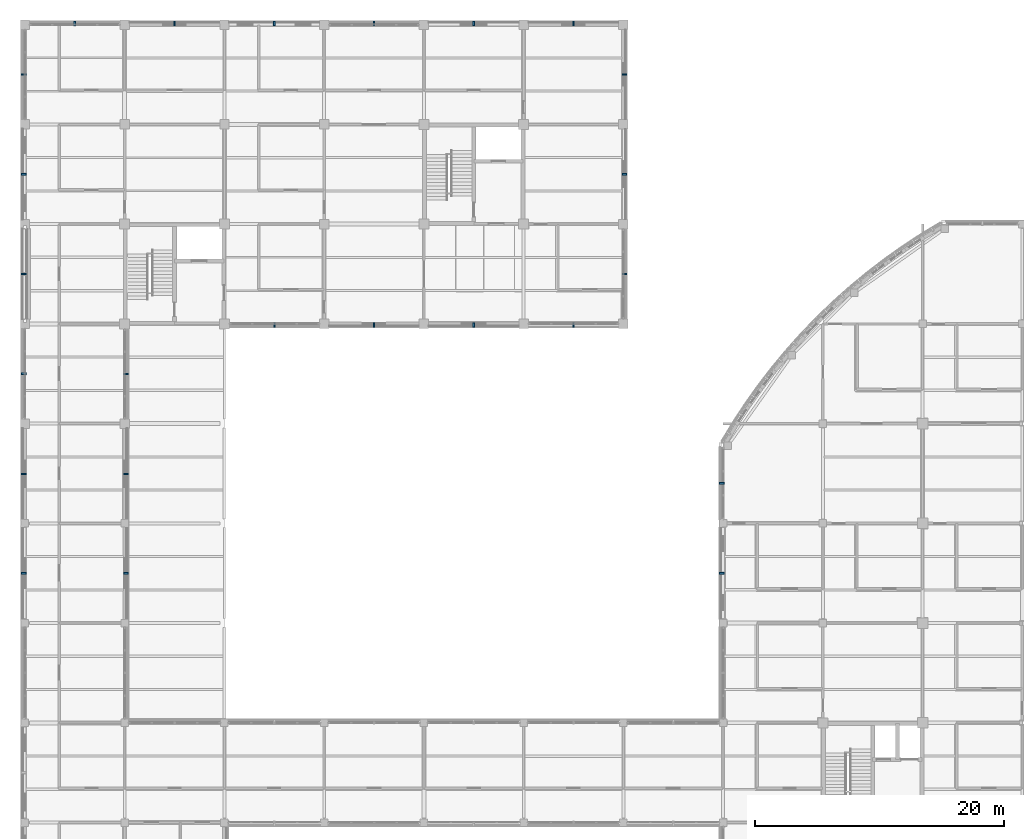
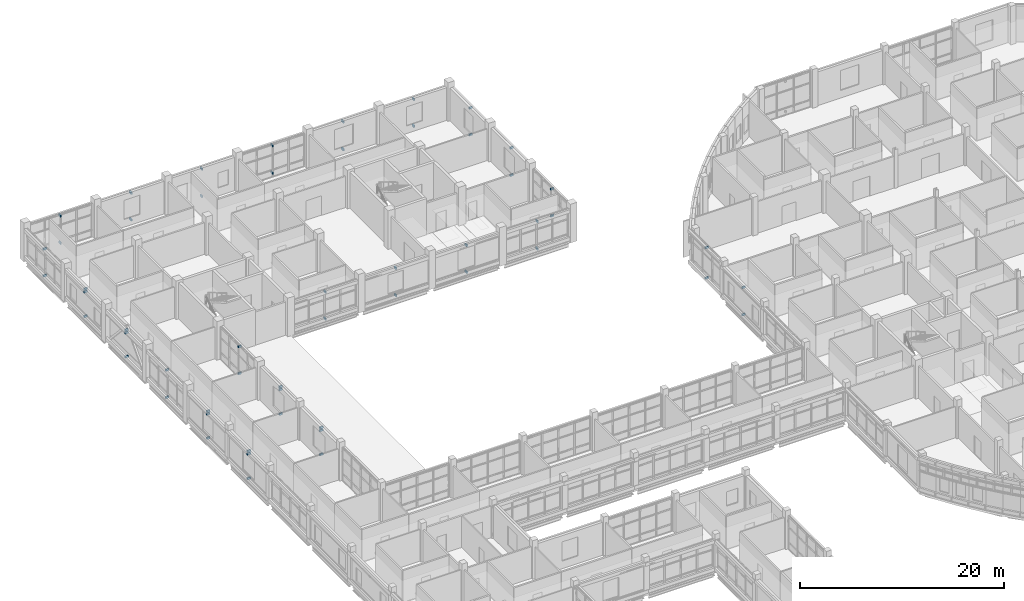
# One storey, part 103 of 121: 54 discrete accessories.
"""IFC4 building model written with IfcOpenShell, lengths in metres."""

from ifc_helpers import new_model, si_unit, derived_unit, direction, frame, origin, origin_2d, place, context, subcontext, project, spatial, rectangle, extrude, material, type_object, element, save


model = new_model("IFC4")

# Units and contexts
model_context = context("Model", 3, precision=1e-05, world=origin(), true_north=direction((0.0, 1.0)))
body_context = subcontext(model_context, "Body", "Model", "MODEL_VIEW")
ifc_project = project(units=[si_unit("LENGTHUNIT", "METRE"), si_unit("AREAUNIT", "SQUARE_METRE"), si_unit("VOLUMEUNIT", "CUBIC_METRE"), si_unit("PLANEANGLEUNIT", "RADIAN"), si_unit("MASSUNIT", "GRAM", prefix="KILO"), derived_unit("THERMALTRANSMITTANCEUNIT", [(si_unit("MASSUNIT", "GRAM", prefix="KILO"), 1), (si_unit("TIMEUNIT", "SECOND"), -3), (si_unit("THERMODYNAMICTEMPERATUREUNIT", "KELVIN"), -1)])], contexts=[model_context])

# Site, building, storey
site_placement = place(None, origin())
site = spatial("IfcSite", under=ifc_project, at=site_placement, CompositionType="ELEMENT")
building_placement = place(site_placement, origin())
building = spatial("IfcBuilding", under=site, at=building_placement, Name="Veyamyaing Civic Hall", CompositionType="ELEMENT")
storey_placement = place(building_placement, frame((0.0, 0.0, 5.280029296875)))
storey = spatial("IfcBuildingStorey", under=building, at=storey_placement, Name="L01", CompositionType="ELEMENT", Elevation=5.280029296875)

# Discrete accessories
ifc_material = material(Name="Steel S355J2", Category="steel")
discrete_accessory_type = type_object("IfcDiscreteAccessoryType", Name="BK-01", PredefinedType="BRACKET", material=ifc_material)
for number, where, z_axis, x_axis, name in (
    (1, (-0.10009765625, 68.0, 3.6337890625), (0.0, 0.0, 1.0), (-1.0, 0.0, 0.0), "Sunshade anchor bracket BK-01 L01 W 1.9"),
    (2, (-0.10009765625, 68.0, 0.35986328125), (0.0, 0.0, 1.0), (-1.0, 0.0, 0.0), "Lower ribbon anchor bracket BK-01 L01 W 1.9"),
    (3, (-0.10009765625, 68.0, 3.30419921875), (0.0, 0.0, 1.0), (-1.0, 0.0, 0.0), "Louvre anchor bracket BK-01 L01 W 1.9"),
    (4, (8.10009765625, 68.0, 3.57421875), (0.0, 0.0, 1.0), (1.0, 0.0, 0.0), "Sunshade anchor bracket BK-01 L01 E 1.9"),
    (5, (8.10009765625, 68.0, 0.35986328125), (0.0, 0.0, 1.0), (1.0, 0.0, 0.0), "Lower ribbon anchor bracket BK-01 L01 E 1.9"),
    (6, (8.10009765625, 68.0, 3.244140625), (0.0, 0.0, 1.0), (1.0, 0.0, 0.0), "Louvre anchor bracket BK-01 L01 E 1.9"),
    (7, (-0.10009765625, 75.96240234375, 3.57421875), (0.0, 0.0, 1.0), (-1.0, 0.0, 0.0), "Sunshade anchor bracket BK-01 L01 W 1.10"),
    (8, (-0.10009765625, 75.96240234375, 0.35986328125), (0.0, 0.0, 1.0), (-1.0, 0.0, 0.0), "Lower ribbon anchor bracket BK-01 L01 W 1.10"),
    (9, (-0.10009765625, 75.96240234375, 3.244140625), (0.0, 0.0, 1.0), (-1.0, 0.0, 0.0), "Louvre anchor bracket BK-01 L01 W 1.10"),
    (10, (8.10009765625, 75.96240234375, 3.63720703125), (0.0, 0.0, 1.0), (1.0, 0.0, 0.0), "Sunshade anchor bracket BK-01 L01 E 1.10"),
    (11, (8.10009765625, 75.96240234375, 0.35986328125), (0.0, 0.0, 1.0), (1.0, 0.0, 0.0), "Lower ribbon anchor bracket BK-01 L01 E 1.10"),
    (12, (8.10009765625, 75.96240234375, 3.30712890625), (0.0, 0.0, 1.0), (1.0, 0.0, 0.0), "Louvre anchor bracket BK-01 L01 E 1.10"),
    (13, (-0.10009765625, 84.0, 3.63720703125), (0.0, 0.0, 1.0), (-1.0, 0.0, 0.0), "Sunshade anchor bracket BK-01 L01 W 1.11"),
    (14, (-0.10009765625, 84.0, 0.35986328125), (0.0, 0.0, 1.0), (-1.0, 0.0, 0.0), "Lower ribbon anchor bracket BK-01 L01 W 1.11"),
    (15, (8.10009765625, 83.987548828125, 3.56982421875), (0.0, 0.0, 1.0), (1.0, 0.0, 0.0), "Sunshade anchor bracket BK-01 L01 E 1.11"),
    (16, (8.10009765625, 83.987548828125, 0.35986328125), (0.0, 0.0, 1.0), (1.0, 0.0, 0.0), "Lower ribbon anchor bracket BK-01 L01 E 1.11"),
    (17, (-0.10009765625, 92.0, 3.56982421875), (0.0, 0.0, 1.0), (-1.0, 0.0, 0.0), "Sunshade anchor bracket BK-01 L01 W 1.12"),
    (18, (-0.10009765625, 92.0, 0.35986328125), (0.0, 0.0, 1.0), (-1.0, 0.0, 0.0), "Lower ribbon anchor bracket BK-01 L01 W 1.12"),
    (19, (-0.10009765625, 92.0, 3.23974609375), (0.0, 0.0, 1.0), (-1.0, 0.0, 0.0), "Louvre anchor bracket BK-01 L01 W 1.12"),
    (20, (-0.10009765625, 100.0, 3.6337890625), (0.0, 0.0, 1.0), (-1.0, 0.0, 0.0), "Sunshade anchor bracket BK-01 L01 W 1.13"),
    (21, (-0.10009765625, 100.0, 0.35986328125), (0.0, 0.0, 1.0), (-1.0, 0.0, 0.0), "Lower ribbon anchor bracket BK-01 L01 W 1.13"),
    (22, (-0.10009765625, 100.0, 3.30419921875), (0.0, 0.0, 1.0), (-1.0, 0.0, 0.0), "Louvre anchor bracket BK-01 L01 W 1.13"),
    (23, (4.0, 112.10009765625, 3.63720703125), (0.0, 0.0, 1.0), (0.0, 1.0, 0.0), "Sunshade anchor bracket BK-01 L01 N 1.14"),
    (24, (4.0, 112.10009765625, 0.35986328125), (0.0, 0.0, 1.0), (0.0, 1.0, 0.0), "Lower ribbon anchor bracket BK-01 L01 N 1.14"),
    (25, (-0.10009765625, 108.0, 3.57421875), (0.0, 0.0, 1.0), (-1.0, 0.0, 0.0), "Sunshade anchor bracket BK-01 L01 W 1.14"),
    (26, (-0.10009765625, 108.0, 0.35986328125), (0.0, 0.0, 1.0), (-1.0, 0.0, 0.0), "Lower ribbon anchor bracket BK-01 L01 W 1.14"),
    (27, (12.0, 112.10009765625, 3.56982421875), (0.0, 0.0, 1.0), (0.0, 1.0, 0.0), "Sunshade anchor bracket BK-01 L01 N 2.14"),
    (28, (12.0, 112.10009765625, 0.35986328125), (0.0, 0.0, 1.0), (0.0, 1.0, 0.0), "Lower ribbon anchor bracket BK-01 L01 N 2.14"),
    (29, (20.012451171875, 87.89990234375, 3.57421875), (0.0, 0.0, 1.0), (0.0, -1.0, 0.0), "Sunshade anchor bracket BK-01 L01 S 3.12"),
    (30, (20.012451171875, 87.89990234375, 0.35986328125), (0.0, 0.0, 1.0), (0.0, -1.0, 0.0), "Lower ribbon anchor bracket BK-01 L01 S 3.12"),
    (31, (20.0, 112.10009765625, 3.6337890625), (0.0, 0.0, 1.0), (0.0, 1.0, 0.0), "Sunshade anchor bracket BK-01 L01 N 3.14"),
    (32, (20.0, 112.10009765625, 0.35986328125), (0.0, 0.0, 1.0), (0.0, 1.0, 0.0), "Lower ribbon anchor bracket BK-01 L01 N 3.14"),
    (33, (28.0, 87.89990234375, 3.63720703125), (0.0, 0.0, 1.0), (0.0, -1.0, 0.0), "Sunshade anchor bracket BK-01 L01 S 4.12"),
    (34, (28.0, 87.89990234375, 0.35986328125), (0.0, 0.0, 1.0), (0.0, -1.0, 0.0), "Lower ribbon anchor bracket BK-01 L01 S 4.12"),
    (35, (28.0, 112.10009765625, 3.619140625), (0.0, 0.0, 1.0), (0.0, 1.0, 0.0), "Sunshade anchor bracket BK-01 L01 N 4.14"),
    (36, (28.0, 112.10009765625, 0.35986328125), (0.0, 0.0, 1.0), (0.0, 1.0, 0.0), "Lower ribbon anchor bracket BK-01 L01 N 4.14"),
    (37, (36.0, 87.89990234375, 3.56982421875), (0.0, 0.0, 1.0), (0.0, -1.0, 0.0), "Sunshade anchor bracket BK-01 L01 S 5.12"),
    (38, (36.0, 87.89990234375, 0.35986328125), (0.0, 0.0, 1.0), (0.0, -1.0, 0.0), "Lower ribbon anchor bracket BK-01 L01 S 5.12"),
    (39, (36.0, 112.10009765625, 3.68212890625), (0.0, 0.0, 1.0), (0.0, 1.0, 0.0), "Sunshade anchor bracket BK-01 L01 N 5.14"),
    (40, (36.0, 112.10009765625, 0.35986328125), (0.0, 0.0, 1.0), (0.0, 1.0, 0.0), "Lower ribbon anchor bracket BK-01 L01 N 5.14"),
    (41, (44.0, 87.89990234375, 3.6337890625), (0.0, 0.0, 1.0), (0.0, -1.0, 0.0), "Sunshade anchor bracket BK-01 L01 S 6.12"),
    (42, (44.0, 87.89990234375, 0.35986328125), (0.0, 0.0, 1.0), (0.0, -1.0, 0.0), "Lower ribbon anchor bracket BK-01 L01 S 6.12"),
    (43, (48.10009765625, 92.0, 3.57421875), (0.0, 0.0, 1.0), (1.0, 0.0, 0.0), "Sunshade anchor bracket BK-01 L01 E 6.12"),
    (44, (48.10009765625, 92.0, 0.35986328125), (0.0, 0.0, 1.0), (1.0, 0.0, 0.0), "Lower ribbon anchor bracket BK-01 L01 E 6.12"),
    (45, (48.10009765625, 100.0, 3.63720703125), (0.0, 0.0, 1.0), (1.0, 0.0, 0.0), "Sunshade anchor bracket BK-01 L01 E 6.13"),
    (46, (48.10009765625, 100.0, 0.35986328125), (0.0, 0.0, 1.0), (1.0, 0.0, 0.0), "Lower ribbon anchor bracket BK-01 L01 E 6.13"),
    (47, (44.0, 112.10009765625, 3.56982421875), (0.0, 0.0, 1.0), (0.0, 1.0, 0.0), "Sunshade anchor bracket BK-01 L01 N 6.14"),
    (48, (44.0, 112.10009765625, 0.35986328125), (0.0, 0.0, 1.0), (0.0, 1.0, 0.0), "Lower ribbon anchor bracket BK-01 L01 N 6.14"),
    (49, (48.10009765625, 108.0, 3.56982421875), (0.0, 0.0, 1.0), (1.0, 0.0, 0.0), "Sunshade anchor bracket BK-01 L01 E 6.14"),
    (50, (48.10009765625, 108.0, 0.35986328125), (0.0, 0.0, 1.0), (1.0, 0.0, 0.0), "Lower ribbon anchor bracket BK-01 L01 E 6.14"),
    (51, (55.89990234375, 68.0, 3.61474609375), (0.0, 0.0, 1.0), (-1.0, 0.0, 0.0), "Sunshade anchor bracket BK-01 L01 W 8.9"),
    (52, (55.89990234375, 68.0, 0.35986328125), (0.0, 0.0, 1.0), (-1.0, 0.0, 0.0), "Lower ribbon anchor bracket BK-01 L01 W 8.9"),
    (53, (55.89990234375, 75.21533203125, 3.9951171875), (0.0, 0.0, 1.0), (-1.0, 0.0, 0.0), "Sunshade anchor bracket BK-01 L01 W 8.10"),
    (54, (55.89990234375, 75.21533203125, 0.35986328125), (0.0, 0.0, 1.0), (-1.0, 0.0, 0.0), "Lower ribbon anchor bracket BK-01 L01 W 8.10"),
):
    element("IfcDiscreteAccessory", number, at=place(storey_placement, frame(where, z_axis=z_axis, x_axis=x_axis)), inside=storey, type_object=discrete_accessory_type, Name=name, PredefinedType="BRACKET", context=body_context, shape_type="SweptSolid", body=[
        extrude(rectangle(XDim=0.3798828125, YDim=0.139892578125, at=origin_2d()), origin(), (0.0, 0.0, 1.0), 0.239990234375),
    ])

save(model, "model.ifc")
